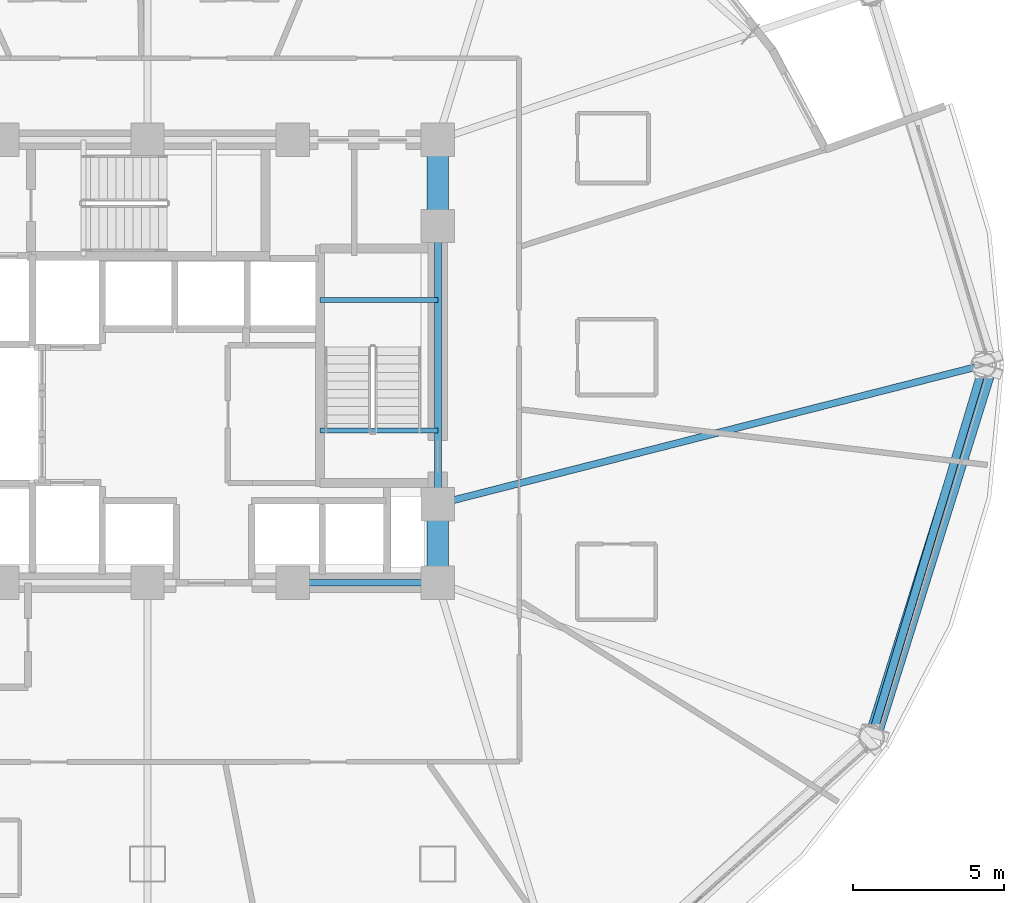
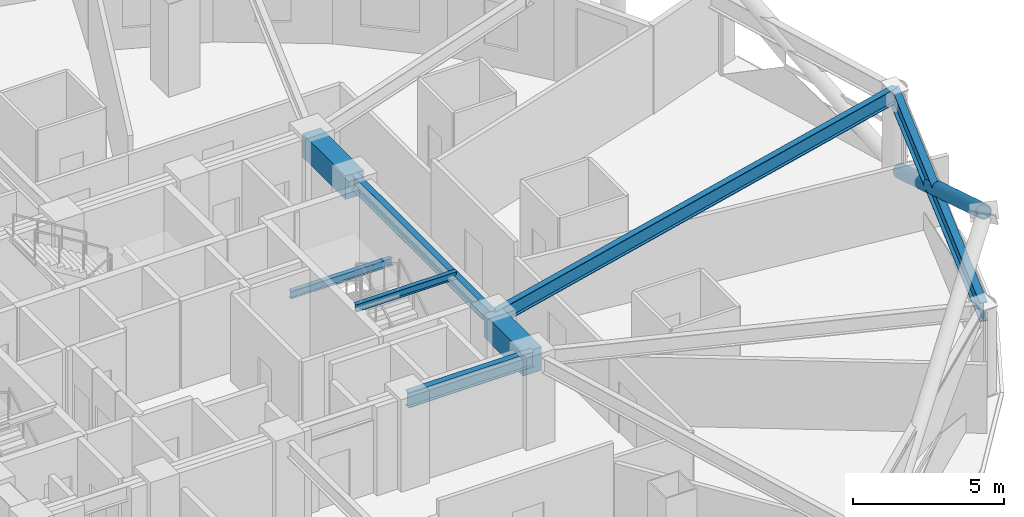
# One storey, part 11 of 33: 8 beams, 1 member.
"""IFC4 building model written with IfcOpenShell, lengths in metres."""

from ifc_helpers import new_model, si_unit, direction, frame, origin, origin_2d, place, context, subcontext, project, spatial, rectangle, hollow_circle, i_section, extrude, material, material_profile, profile_set, type_object, element, save


model = new_model("IFC4")

# Units and contexts
model_context = context("Model", 3, precision=1e-05, world=origin(), true_north=direction((0.0, 1.0)))
body_context = subcontext(model_context, "Body", "Model", "MODEL_VIEW")
ifc_project = project(units=[si_unit("LENGTHUNIT", "METRE"), si_unit("AREAUNIT", "SQUARE_METRE"), si_unit("VOLUMEUNIT", "CUBIC_METRE"), si_unit("PLANEANGLEUNIT", "RADIAN"), si_unit("MASSUNIT", "GRAM", prefix="KILO")], contexts=[model_context])

# Site, building, storey
site_placement = place(None, origin())
site = spatial("IfcSite", under=ifc_project, at=site_placement, CompositionType="ELEMENT")
building_placement = place(site_placement, origin())
building = spatial("IfcBuilding", under=site, at=building_placement, Name="Vantalir Tower", CompositionType="ELEMENT")
storey_placement = place(building_placement, frame((0.0, 0.0, 72.0)))
storey = spatial("IfcBuildingStorey", under=building, at=storey_placement, Name="L17", CompositionType="ELEMENT", Elevation=72.0)

# Beams
ifc_material_1 = material(Name="Concrete C60/75", Category="concrete")
ifc_material_profile_1 = material_profile(ifc_material_1, rectangle(XDim=0.699951171875, YDim=0.949951171875, at=origin_2d()), Name="Concrete C60/75")
ifc_profile_set_1 = profile_set([ifc_material_profile_1], Name="Concrete C60/75")
beam_type_1 = type_object("IfcBeamType", Name="BM-CB-700x950", PredefinedType="USERDEFINED", material=ifc_profile_set_1)
beam_1_placement = place(storey_placement, frame((41.10009765625, 17.800048828125, 3.094970703125), z_axis=(0.0, 1.0, 0.0), x_axis=(-1.0, 0.0, 0.0)))
element("IfcBeam", 1, at=beam_1_placement, inside=storey, type_object=beam_type_1, Name="L17 Core Coupling Girder 05", ObjectType="GIRDER", PredefinedType="USERDEFINED", context=body_context, shape_type="SweptSolid", body=[
    extrude(rectangle(XDim=0.699951171875, YDim=0.949951171875, at=origin_2d()), origin(), (0.0, 0.0, 1.0), 2.599853515625),
])
beam_2_placement = place(storey_placement, frame((41.10009765625, 29.60009765625, 3.094970703125), z_axis=(0.0, 1.0, 0.0), x_axis=(-1.0, 0.0, 0.0)))
element("IfcBeam", 2, at=beam_2_placement, inside=storey, type_object=beam_type_1, Name="L17 Core Coupling Girder 07", ObjectType="GIRDER", PredefinedType="USERDEFINED", context=body_context, shape_type="SweptSolid", body=[
    extrude(rectangle(XDim=0.699951171875, YDim=0.949951171875, at=origin_2d()), origin(), (0.0, 0.0, 1.0), 2.849853515625),
])
ifc_material_2 = material(Name="Steel S355", Category="steel")
ifc_material_profile_2 = material_profile(ifc_material_2, i_section(OverallWidth=0.166015625, OverallDepth=0.306884765625, WebThickness=0.006591796875, FlangeThickness=0.01171875, at=origin_2d()), Name="Steel S355")
ifc_profile_set_2 = profile_set([ifc_material_profile_2], Name="Steel S355")
beam_type_2 = type_object("IfcBeamType", Name="BM-JS-305x165", PredefinedType="JOIST", material=ifc_profile_set_2)
for number, where, z_axis, x_axis, name in (
    (3, (37.2099609375, 22.8349609375, 3.595947265625), (1.0, 0.0, 0.0), (0.0, 1.0, 0.0), "L18 Stair ST2 Well Nosing Trimmer Beam"),
    (4, (37.2099609375, 27.14501953125, 1.52197265625), (1.0, 0.0, 0.0), (0.0, 1.0, 0.0), "L17 Stair ST2 Half-Landing Support Beam"),
):
    element("IfcBeam", number, at=place(storey_placement, frame(where, z_axis=z_axis, x_axis=x_axis)), inside=storey, type_object=beam_type_2, Name=name, PredefinedType="JOIST", context=body_context, shape_type="SweptSolid", body=[
        extrude(i_section(OverallWidth=0.166015625, OverallDepth=0.306884765625, WebThickness=0.006591796875, FlangeThickness=0.01171875, at=origin_2d()), origin(), (0.0, 0.0, 1.0), 3.89013671875),
    ])
ifc_material_profile_3 = material_profile(ifc_material_2, i_section(OverallWidth=0.22998046875, OverallDepth=0.616943359375, WebThickness=0.01318359375, FlangeThickness=0.022216796875, at=origin_2d()), Name="Steel S355")
ifc_profile_set_3 = profile_set([ifc_material_profile_3], Name="Steel S355")
beam_type_3 = type_object("IfcBeamType", Name="BM-RB-610x229", PredefinedType="BEAM", material=ifc_profile_set_3)
beam_3_placement = place(storey_placement, frame((36.300048828125, 17.800048828125, 3.261962890625), z_axis=(1.0, 0.0, 0.0), x_axis=(0.0, 1.0, 0.0)))
element("IfcBeam", 5, at=beam_3_placement, inside=storey, type_object=beam_type_3, Name="L17 Core Coupling Girder 04", PredefinedType="BEAM", context=body_context, shape_type="SweptSolid", body=[
    extrude(i_section(OverallWidth=0.22998046875, OverallDepth=0.616943359375, WebThickness=0.01318359375, FlangeThickness=0.022216796875, at=origin_2d()), origin(), (0.0, 0.0, 1.0), 4.800048828125),
])
beam_4_placement = place(storey_placement, frame((41.10009765625, 20.39990234375, 3.261962890625), z_axis=(0.0, 1.0, 0.0), x_axis=(-1.0, 0.0, 0.0)))
element("IfcBeam", 6, at=beam_4_placement, inside=storey, type_object=beam_type_3, Name="L17 Core Coupling Girder 06", PredefinedType="BEAM", context=body_context, shape_type="SweptSolid", body=[
    extrude(i_section(OverallWidth=0.22998046875, OverallDepth=0.616943359375, WebThickness=0.01318359375, FlangeThickness=0.022216796875, at=origin_2d()), origin(), (0.0, 0.0, 1.0), 9.2001953125),
])
beam_5_placement = place(storey_placement, frame((59.14990234375, 25.0, 3.261962890625), z_axis=(-0.969025237662, -0.246961715198, 0.0), x_axis=(0.246961715198, -0.969025237662, 0.0)))
element("IfcBeam", 7, at=beam_5_placement, inside=storey, type_object=beam_type_3, Name="L17 Radial Floor Beam 01", PredefinedType="BEAM", context=body_context, shape_type="SweptSolid", body=[
    extrude(i_section(OverallWidth=0.22998046875, OverallDepth=0.616943359375, WebThickness=0.01318359375, FlangeThickness=0.022216796875, at=origin_2d()), origin(), (0.0, 0.0, 1.0), 18.626708984375),
])
ifc_material_3 = material(Name="Steel S460", Category="steel")
ifc_material_profile_4 = material_profile(ifc_material_3, i_section(OverallWidth=0.26806640625, OverallDepth=0.77001953125, WebThickness=0.015625, FlangeThickness=0.025390625, at=origin_2d()), Name="Steel S460")
ifc_profile_set_4 = profile_set([ifc_material_profile_4], Name="Steel S460")
beam_type_4 = type_object("IfcBeamType", Name="BM-RG-762x267", PredefinedType="USERDEFINED", material=ifc_profile_set_4)
beam_6_placement = place(storey_placement, frame((55.446044921875, 12.68505859375, 3.18505859375), z_axis=(0.288016633723, 0.957625406252, 0.0), x_axis=(-0.957625406252, 0.288016633723, 0.0)))
element("IfcBeam", 8, at=beam_6_placement, inside=storey, type_object=beam_type_4, Name="L17 Circumferential Ring Girder 12", ObjectType="GIRDER", PredefinedType="USERDEFINED", context=body_context, shape_type="SweptSolid", body=[
    extrude(i_section(OverallWidth=0.26806640625, OverallDepth=0.77001953125, WebThickness=0.015625, FlangeThickness=0.025390625, at=origin_2d()), origin(), (0.0, 0.0, 1.0), 12.85986328125),
])

# Member
ifc_material_profile_5 = material_profile(ifc_material_3, hollow_circle(Radius=0.27001953125, WallThickness=0.044921875, at=origin_2d()), Name="Steel S460")
ifc_profile_set_5 = profile_set([ifc_material_profile_5], Name="Steel S460")
member_type = type_object("IfcMemberType", Name="MEM-DB-540x45", PredefinedType="BRACE", material=ifc_profile_set_5)
member_placement = place(storey_placement, frame((59.282958984375, 24.81591796875, 0.18701171875), z_axis=(-0.261191163299, -0.834984381714, 0.484334861958), x_axis=(0.954395806688, -0.298544208078, 0.0)))
element("IfcMember", 9, at=member_placement, inside=storey, type_object=member_type, Name="L17 Perimeter S460 Diagrid Brace R01R", PredefinedType="BRACE", context=body_context, shape_type="SweptSolid", body=[
    extrude(hollow_circle(Radius=0.27001953125, WallThickness=0.044921875, at=origin_2d()), origin(), (0.0, 0.0, 1.0), 14.34130859375),
])

save(model, "model.ifc")
